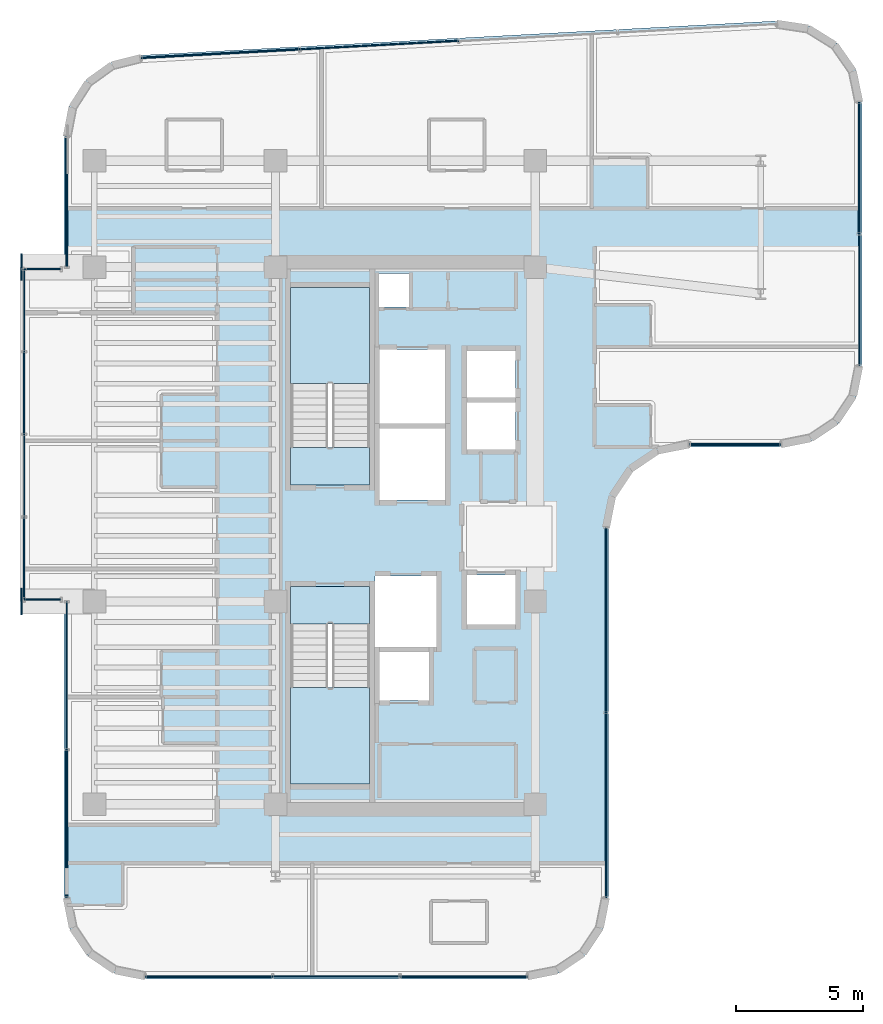
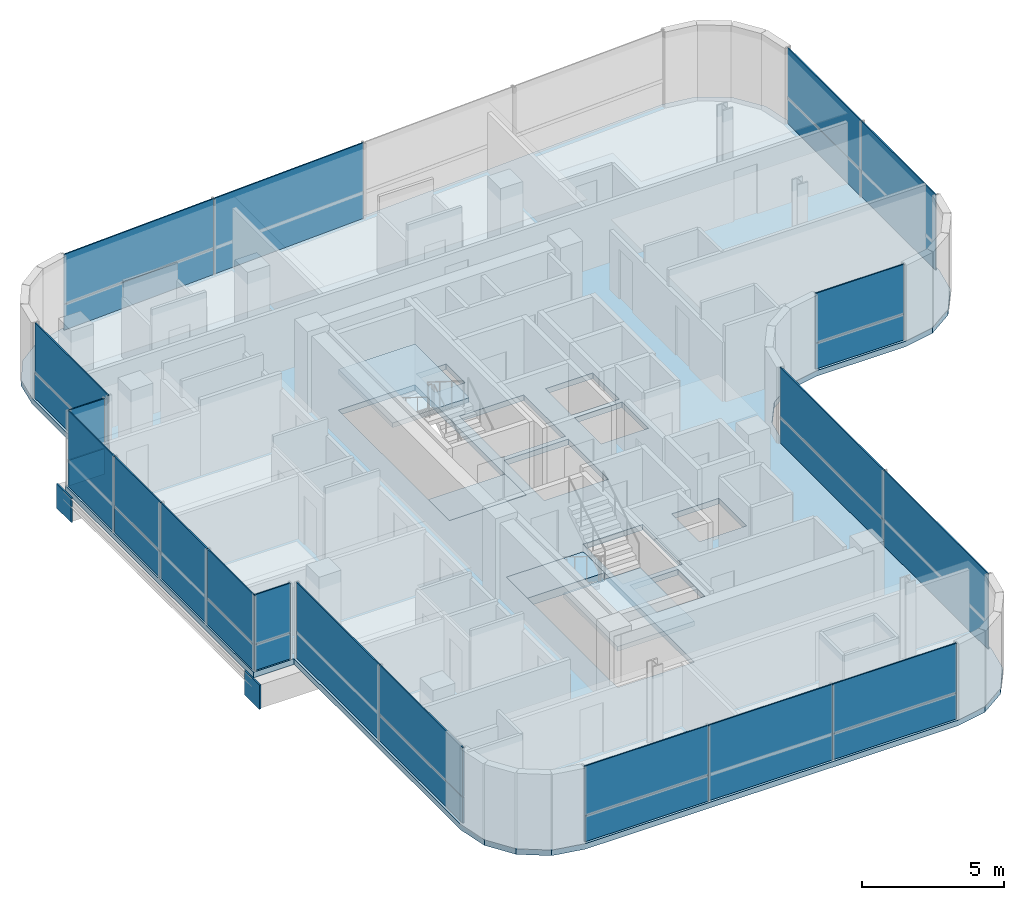
# One storey, part 15 of 22: 33 plates, 5 slabs, 12 elements without a shape of their own.
"""IFC4 building model written with IfcOpenShell, lengths in metres."""

from ifc_helpers import new_model, si_unit, direction, frame, origin, origin_2d, place, context, subcontext, project, spatial, polyline, rectangle, outline, extrude, source, transform, mapped, material, layer, layer_set, type_object, element, aggregate, save


model = new_model("IFC4")

# Units and contexts
model_context = context("Model", 3, precision=1e-05, world=origin(), true_north=direction((0.0, 1.0)))
body_context = subcontext(model_context, "Body", "Model", "MODEL_VIEW")
ifc_project = project(units=[si_unit("LENGTHUNIT", "METRE"), si_unit("AREAUNIT", "SQUARE_METRE"), si_unit("VOLUMEUNIT", "CUBIC_METRE"), si_unit("PLANEANGLEUNIT", "RADIAN"), si_unit("MASSUNIT", "GRAM", prefix="KILO")], contexts=[model_context])

# Site, building, storey
site_placement = place(None, origin())
site = spatial("IfcSite", under=ifc_project, at=site_placement, CompositionType="ELEMENT")
building_placement = place(site_placement, origin())
building = spatial("IfcBuilding", under=site, at=building_placement, Name="Valdorenza Pilgrim Sanctuary Tower", CompositionType="ELEMENT")
storey_placement = place(building_placement, frame((0.0, 0.0, 212.5)))
storey = spatial("IfcBuildingStorey", under=building, at=storey_placement, Name="L54", CompositionType="ELEMENT", Elevation=212.5)

# Slab
ifc_material_1 = material(Name="Concrete C40/50", Category="concrete")
ifc_layer_1 = layer(ifc_material_1, 0.239990234375, Name="Concrete C40/50")
ifc_layer_set_1 = layer_set([ifc_layer_1], Name="Concrete C40/50")
slab_type_1 = type_object("IfcSlabType", Name="SLAB-FLR-220", PredefinedType="FLOOR", material=ifc_layer_set_1)
slab_1_placement = place(storey_placement, frame((0.0, 0.0, -0.239990234375)))
element("IfcSlab", 1, at=slab_1_placement, inside=storey, type_object=slab_type_1, Name="L54 Structural Floor Slab 1", PredefinedType="FLOOR", context=body_context, shape_type="SweptSolid", body=[
    extrude(outline(polyline([(-30.772705078125, 16.95263671875), (-30.122802734375, 17.968994140625), (-29.14306640625, 18.672607421875), (-27.972412109375, 18.96337890625), (-2.872314453125, 20.318115234375), (-1.595947265625, 20.126220703125), (-0.4990234375, 19.445556640625), (0.239501953125, 18.386962890625), (0.5, 17.12255859375), (0.5, 6.699951171875), (0.25634765625, 5.475341796875), (-0.437255859375, 4.437255859375), (-1.475341796875, 3.74365234375), (-2.699951171875, 3.5), (-6.300048828125, 3.5), (-7.524658203125, 3.25634765625), (-8.562744140625, 2.562744140625), (-9.25634765625, 1.524658203125), (-9.5, 0.300048828125), (-9.5, -14.300048828125), (-9.74365234375, -15.524658203125), (-10.437255859375, -16.562744140625), (-11.475341796875, -17.25634765625), (-12.699951171875, -17.5), (-27.800048828125, -17.5), (-29.024658203125, -17.25634765625), (-30.062744140625, -16.562744140625), (-30.75634765625, -15.524658203125), (-31.0, -14.300048828125), (-31.0, -2.60009765625), (-32.64990234375, -2.60009765625), (-32.64990234375, 10.60009765625), (-31.0, 10.60009765625), (-31.0, 15.76806640625), (-30.772705078125, 16.95263671875)]), holes=[polyline([(-22.050048828125, -9.800048828125), (-18.93994140625, -9.800048828125), (-18.93994140625, -3.485107421875), (-18.93994140625, -2.0), (-22.050048828125, -2.0), (-22.050048828125, -3.485107421875), (-22.050048828125, -9.800048828125)]), polyline([(-16.60009765625, -6.5), (-16.60009765625, -4.60009765625), (-18.550048828125, -4.60009765625), (-18.550048828125, -6.5), (-16.60009765625, -6.5)]), polyline([(-22.050048828125, 2.0), (-18.93994140625, 2.0), (-18.93994140625, 3.485107421875), (-18.93994140625, 9.800048828125), (-22.050048828125, 9.800048828125), (-22.050048828125, 3.485107421875), (-22.050048828125, 2.0)]), polyline([(-17.360107421875, 9.030029296875), (-17.360107421875, 10.35009765625), (-18.570068359375, 10.35009765625), (-18.570068359375, 9.030029296875), (-17.360107421875, 9.030029296875)]), polyline([(-16.300048828125, -1.60009765625), (-18.719970703125, -1.60009765625), (-18.719970703125, -4.39990234375), (-16.300048828125, -4.39990234375), (-16.300048828125, -1.60009765625)]), polyline([(-13.179931640625, -3.5), (-13.179931640625, -1.550048828125), (-15.10009765625, -1.550048828125), (-15.10009765625, -3.5), (-13.179931640625, -3.5)]), polyline([(-15.949951171875, 1.39990234375), (-15.949951171875, 4.22509765625), (-18.550048828125, 4.22509765625), (-18.550048828125, 1.39990234375), (-15.949951171875, 1.39990234375)]), polyline([(-13.179931640625, 5.25), (-15.10009765625, 5.25), (-15.10009765625, 3.39990234375), (-13.179931640625, 3.39990234375), (-13.179931640625, 5.25)]), polyline([(-15.949951171875, 4.425048828125), (-15.949951171875, 7.35009765625), (-18.550048828125, 7.35009765625), (-18.550048828125, 4.425048828125), (-15.949951171875, 4.425048828125)]), polyline([(-13.179931640625, 5.449951171875), (-13.179931640625, 7.300048828125), (-15.10009765625, 7.300048828125), (-15.10009765625, 5.449951171875), (-13.179931640625, 5.449951171875)])]), origin(), (0.0, 0.0, 1.0), 0.239990234375),
])

# Stair, slab
stair_type = type_object("IfcStairType", Name="STR-DOG-CORE", PredefinedType="HALF_TURN_STAIR", material=ifc_material_1)
stair_1_placement = place(storey_placement, origin())
stair_1 = element("IfcStair", 2, at=stair_1_placement, inside=storey, type_object=stair_type, Name="L54 ST-A1", PredefinedType="HALF_TURN_STAIR")
ifc_layer_2 = layer(ifc_material_1, 0.199951171875, Name="Concrete C40/50")
ifc_layer_set_2 = layer_set([ifc_layer_2], Name="Concrete C40/50")
slab_type_2 = type_object("IfcSlabType", Name="SLAB-STL-200", PredefinedType="LANDING", material=ifc_layer_set_2)
slab_2_placement = place(storey_placement, frame((0.0, 0.0, 1.550048828125)))
slab_2 = element("IfcSlab", 3, at=slab_2_placement, type_object=slab_type_2, Name="ST-A1 landing 1", PredefinedType="LANDING", context=body_context, shape_type="SweptSolid", body=[
    extrude(outline(polyline([(-18.93994140625, 6.0), (-18.93994140625, 9.800048828125), (-22.050048828125, 9.800048828125), (-22.050048828125, 6.0), (-18.93994140625, 6.0)])), origin(), (0.0, 0.0, 1.0), 0.199951171875),
])
aggregate(stair_1, [slab_2])

stair_2_placement = place(storey_placement, origin())
stair_2 = element("IfcStair", 4, at=stair_2_placement, inside=storey, type_object=stair_type, Name="L54 ST-A2", PredefinedType="HALF_TURN_STAIR")
slab_3_placement = place(storey_placement, frame((0.0, 0.0, 1.550048828125)))
slab_3 = element("IfcSlab", 5, at=slab_3_placement, type_object=slab_type_2, Name="ST-A2 landing 1", PredefinedType="LANDING", context=body_context, shape_type="SweptSolid", body=[
    extrude(outline(polyline([(-22.050048828125, -6.0), (-22.050048828125, -9.800048828125), (-18.93994140625, -9.800048828125), (-18.93994140625, -6.0), (-22.050048828125, -6.0)])), origin(), (0.0, 0.0, 1.0), 0.199951171875),
])
aggregate(stair_2, [slab_3])

# Slabs
ifc_material_2 = material(Name="Concrete C50/60", Category="concrete")
ifc_layer_3 = layer(ifc_material_2, 0.39990234375, Name="Concrete C50/60")
ifc_layer_set_3 = layer_set([ifc_layer_3], Name="Concrete C50/60")
slab_type_3 = type_object("IfcSlabType", Name="SLAB-TRF-400", PredefinedType="FLOOR", material=ifc_layer_set_3)
slab_4_placement = place(storey_placement, frame((0.0, 0.0, -0.360107421875)))
element("IfcSlab", 6, at=slab_4_placement, inside=storey, type_object=slab_type_3, Name="L54 ST-A1 Structural Stair Landing Bearing Slab", PredefinedType="FLOOR", context=body_context, shape_type="SweptSolid", body=[
    extrude(outline(polyline([(-22.050048828125, 2.0), (-18.93994140625, 2.0), (-18.93994140625, 3.485107421875), (-22.050048828125, 3.485107421875), (-22.050048828125, 2.0)])), origin(), (0.0, 0.0, 1.0), 0.360107421875),
])
slab_5_placement = place(storey_placement, frame((0.0, 0.0, -0.360107421875)))
element("IfcSlab", 7, at=slab_5_placement, inside=storey, type_object=slab_type_3, Name="L54 ST-A2 Structural Stair Landing Bearing Slab", PredefinedType="FLOOR", context=body_context, shape_type="SweptSolid", body=[
    extrude(outline(polyline([(-22.050048828125, -3.485107421875), (-18.93994140625, -3.485107421875), (-18.93994140625, -2.0), (-22.050048828125, -2.0), (-22.050048828125, -3.485107421875)])), origin(), (0.0, 0.0, 1.0), 0.360107421875),
])

# Plates
ifc_material_3 = material(Name="Steel ASTM A572 Grade 42", Category="steel")
ifc_layer_4 = layer(ifc_material_3, 0.06005859375, Name="Steel ASTM A572 Grade 42")
ifc_layer_set_4 = layer_set([ifc_layer_4], Name="Steel ASTM A572 Grade 42")
plate_type_1 = type_object("IfcPlateType", Name="PLT-CAP-60", PredefinedType="SHEET", material=ifc_layer_set_4)
shared_shape_1 = source(origin(), body_context, "Body", "SweptSolid", [
    extrude(rectangle(XDim=0.06005859375, YDim=1.0400390625, at=origin_2d()), origin(), (0.0, 0.0, 1.0), 1.0400390625),
])
for number, where, z_axis, x_axis, name in (
    (8, (-32.679931640625, 10.60009765625, -1.260009765625), (0.0, 0.0, 1.0), (1.0, 0.0, 0.0), "L54 BOX-WA-L54 Cantilever Tip End Cap N"),
    (9, (-32.679931640625, -2.60009765625, -1.260009765625), (0.0, 0.0, 1.0), (1.0, 0.0, 0.0), "L54 BOX-WA-L54 Cantilever Tip End Cap S"),
):
    element("IfcPlate", number, at=place(storey_placement, frame(where, z_axis=z_axis, x_axis=x_axis)), inside=storey, type_object=plate_type_1, Name=name, PredefinedType="SHEET", context=body_context, shape_type="MappedRepresentation", body=[
        mapped(shared_shape_1, transform((0.0, 0.0, 0.0), x_axis=(1.0, 0.0, 0.0), y_axis=(0.0, 1.0, 0.0), z_axis=(0.0, 0.0, 1.0), scale=1.0)),
    ])

# Curtain wall, plate
ifc_material_4 = material(Name="Curtain-wall IGU glazing", Category="glass")
curtain_wall_type = type_object("IfcCurtainWallType", Name="CW-SYS-02", PredefinedType="NOTDEFINED", material=ifc_material_4)
curtain_wall_1_placement = place(storey_placement, origin())
curtain_wall_1 = element("IfcCurtainWall", 10, at=curtain_wall_1_placement, inside=storey, type_object=curtain_wall_type, Name="L54 Curtain Wall CW-L54-BOX-WA-L54-S", PredefinedType="NOTDEFINED")
ifc_material_5 = material(Name="Honed travertine limestone", Category="masonry")
ifc_layer_5 = layer(ifc_material_5, 0.050048828125, Name="Honed travertine limestone")
ifc_layer_set_5 = layer_set([ifc_layer_5], Name="Honed travertine limestone")
plate_type_2 = type_object("IfcPlateType", Name="CW-SPN-TRV", PredefinedType="USERDEFINED", material=ifc_layer_set_5)
shared_shape_2 = source(origin(), body_context, "Body", "SweptSolid", [
    extrude(rectangle(XDim=1.43994140625, YDim=0.06005859375, at=origin_2d()), origin(), (0.0, 0.0, 1.0), 1.10009765625),
])
plate_1_placement = place(storey_placement, frame((-31.840087890625, -2.52001953125, 0.010009765625), z_axis=(0.0, 0.0, 1.0), x_axis=(-1.0, 0.0, 0.0)))
plate_1 = element("IfcPlate", 11, at=plate_1_placement, type_object=plate_type_2, Name="CW-L54-BOX-WA-L54-S Travertine Spandrel 1", ObjectType="SPANDREL", PredefinedType="USERDEFINED", context=body_context, shape_type="MappedRepresentation", body=[
    mapped(shared_shape_2, transform((0.0, 0.0, 0.0), x_axis=(1.0, 0.0, 0.0), y_axis=(0.0, 1.0, 0.0), z_axis=(0.0, 0.0, 1.0), scale=1.0)),
])

curtain_wall_2_placement = place(storey_placement, origin())
curtain_wall_2 = element("IfcCurtainWall", 12, at=curtain_wall_2_placement, inside=storey, type_object=curtain_wall_type, Name="L54 Curtain Wall CW-L54-BOX-WA-L54-N", PredefinedType="NOTDEFINED")
plate_2_placement = place(storey_placement, frame((-31.840087890625, 10.52001953125, 0.010009765625), z_axis=(0.0, 0.0, 1.0), x_axis=(1.0, 0.0, 0.0)))
plate_2 = element("IfcPlate", 13, at=plate_2_placement, type_object=plate_type_2, Name="CW-L54-BOX-WA-L54-N Travertine Spandrel 1", ObjectType="SPANDREL", PredefinedType="USERDEFINED", context=body_context, shape_type="MappedRepresentation", body=[
    mapped(shared_shape_2, transform((0.0, 0.0, 0.0), x_axis=(1.0, 0.0, 0.0), y_axis=(0.0, 1.0, 0.0), z_axis=(0.0, 0.0, 1.0), scale=1.0)),
])

# Curtain wall, plates
curtain_wall_3_placement = place(storey_placement, origin())
curtain_wall_3 = element("IfcCurtainWall", 14, at=curtain_wall_3_placement, inside=storey, type_object=curtain_wall_type, Name="L54 Curtain Wall CW-L54-BOX-WA-L54-F", PredefinedType="NOTDEFINED")
shared_shape_3 = source(origin(), body_context, "Body", "SweptSolid", [
    extrude(rectangle(XDim=3.239990234375, YDim=0.06005859375, at=origin_2d()), origin(), (0.0, 0.0, 1.0), 1.10009765625),
])
plate_3_placement = place(storey_placement, frame((-32.570068359375, -0.889892578125, 0.010009765625), z_axis=(0.0, 0.0, 1.0), x_axis=(0.0, 1.0, 0.0)))
plate_3 = element("IfcPlate", 15, at=plate_3_placement, type_object=plate_type_2, Name="CW-L54-BOX-WA-L54-F Travertine Spandrel 1", ObjectType="SPANDREL", PredefinedType="USERDEFINED", context=body_context, shape_type="MappedRepresentation", body=[
    mapped(shared_shape_3, transform((0.0, 0.0, 0.0), x_axis=(1.0, 0.0, 0.0), y_axis=(0.0, 1.0, 0.0), z_axis=(0.0, 0.0, 1.0), scale=1.0)),
])
plate_4_placement = place(storey_placement, frame((-32.570068359375, 5.6298828125, 0.010009765625), z_axis=(0.0, 0.0, 1.0), x_axis=(0.0, 1.0, 0.0)))
plate_4 = element("IfcPlate", 16, at=plate_4_placement, type_object=plate_type_2, Name="CW-L54-BOX-WA-L54-F Travertine Spandrel 3", ObjectType="SPANDREL", PredefinedType="USERDEFINED", context=body_context, shape_type="MappedRepresentation", body=[
    mapped(shared_shape_3, transform((0.0, 0.0, 0.0), x_axis=(1.0, 0.0, 0.0), y_axis=(0.0, 1.0, 0.0), z_axis=(0.0, 0.0, 1.0), scale=1.0)),
])

# Curtain wall, plate
curtain_wall_4_placement = place(storey_placement, origin())
curtain_wall_4 = element("IfcCurtainWall", 17, at=curtain_wall_4_placement, inside=storey, type_object=curtain_wall_type, Name="L54 Curtain Wall CW-L54-1-1S1", PredefinedType="NOTDEFINED")
shared_shape_4 = source(origin(), body_context, "Body", "SweptSolid", [
    extrude(rectangle(XDim=5.82470703125, YDim=0.06005859375, at=origin_2d()), origin(), (0.0, 0.0, 1.0), 1.10009765625),
])
plate_5_placement = place(storey_placement, frame((-30.889892578125, -11.366943359375, 0.010009765625), z_axis=(0.0, 0.0, 1.0), x_axis=(0.0, 1.0, 0.0)))
plate_5 = element("IfcPlate", 18, at=plate_5_placement, type_object=plate_type_2, Name="CW-L54-1-1S1 Travertine Spandrel 1", ObjectType="SPANDREL", PredefinedType="USERDEFINED", context=body_context, shape_type="MappedRepresentation", body=[
    mapped(shared_shape_4, transform((0.0, 0.0, 0.0), x_axis=(1.0, 0.0, 0.0), y_axis=(0.0, 1.0, 0.0), z_axis=(0.0, 0.0, 1.0), scale=1.0)),
])

# Curtain wall, plates
curtain_wall_5_placement = place(storey_placement, origin())
curtain_wall_5 = element("IfcCurtainWall", 19, at=curtain_wall_5_placement, inside=storey, type_object=curtain_wall_type, Name="L54 Curtain Wall CW-L54-1-26", PredefinedType="NOTDEFINED")
shared_shape_5 = source(origin(), body_context, "Body", "SweptSolid", [
    extrude(rectangle(XDim=5.006103515625, YDim=0.06005859375, at=origin_2d()), origin(), (0.0, 0.0, 1.0), 1.10009765625),
])
plate_6_placement = place(storey_placement, frame((-15.223876953125, -17.389892578125, 0.010009765625), z_axis=(0.0, 0.0, 1.0), x_axis=(-1.0, 0.0, 0.0)))
plate_6 = element("IfcPlate", 20, at=plate_6_placement, type_object=plate_type_2, Name="CW-L54-1-26 Travertine Spandrel 1", ObjectType="SPANDREL", PredefinedType="USERDEFINED", context=body_context, shape_type="MappedRepresentation", body=[
    mapped(shared_shape_5, transform((0.0, 0.0, 0.0), x_axis=(1.0, 0.0, 0.0), y_axis=(0.0, 1.0, 0.0), z_axis=(0.0, 0.0, 1.0), scale=1.0)),
])
plate_7_placement = place(storey_placement, frame((-25.276123046875, -17.389892578125, 0.010009765625), z_axis=(0.0, 0.0, 1.0), x_axis=(-1.0, 0.0, 0.0)))
plate_7 = element("IfcPlate", 21, at=plate_7_placement, type_object=plate_type_2, Name="CW-L54-1-26 Travertine Spandrel 3", ObjectType="SPANDREL", PredefinedType="USERDEFINED", context=body_context, shape_type="MappedRepresentation", body=[
    mapped(shared_shape_5, transform((0.0, 0.0, 0.0), x_axis=(1.0, 0.0, 0.0), y_axis=(0.0, 1.0, 0.0), z_axis=(0.0, 0.0, 1.0), scale=1.0)),
])

# Curtain wall, plate
curtain_wall_6_placement = place(storey_placement, origin())
curtain_wall_6 = element("IfcCurtainWall", 22, at=curtain_wall_6_placement, inside=storey, type_object=curtain_wall_type, Name="L54 Curtain Wall CW-L54-1-6", PredefinedType="NOTDEFINED")
shared_shape_6 = source(origin(), body_context, "Body", "SweptSolid", [
    extrude(rectangle(XDim=6.2587890625, YDim=0.06005859375, at=origin_2d()), origin(), (0.0, 0.0, 1.0), 1.10009765625),
])
plate_8_placement = place(storey_placement, frame((-24.8212890625, 19.023193359375, 0.010009765625), z_axis=(0.0, 0.0, 1.0), x_axis=(0.998547034311, 0.053887106711, 0.0)))
plate_8 = element("IfcPlate", 23, at=plate_8_placement, type_object=plate_type_2, Name="CW-L54-1-6 Travertine Spandrel 1", ObjectType="SPANDREL", PredefinedType="USERDEFINED", context=body_context, shape_type="MappedRepresentation", body=[
    mapped(shared_shape_6, transform((0.0, 0.0, 0.0), x_axis=(1.0, 0.0, 0.0), y_axis=(0.0, 1.0, 0.0), z_axis=(0.0, 0.0, 1.0), scale=1.0)),
])

curtain_wall_7_placement = place(storey_placement, origin())
curtain_wall_7 = element("IfcCurtainWall", 24, at=curtain_wall_7_placement, inside=storey, type_object=curtain_wall_type, Name="L54 Curtain Wall CW-L54-1-16", PredefinedType="NOTDEFINED")
shared_shape_7 = source(origin(), body_context, "Body", "SweptSolid", [
    extrude(rectangle(XDim=3.580078125, YDim=0.06005859375, at=origin_2d()), origin(), (0.0, 0.0, 1.0), 1.10009765625),
])
plate_9_placement = place(storey_placement, frame((-4.5107421875, 3.610107421875, 0.010009765625), z_axis=(0.0, 0.0, 1.0), x_axis=(-1.0, 0.0, 0.0)))
plate_9 = element("IfcPlate", 25, at=plate_9_placement, type_object=plate_type_2, Name="CW-L54-1-16 Travertine Spandrel 1", ObjectType="SPANDREL", PredefinedType="USERDEFINED", context=body_context, shape_type="MappedRepresentation", body=[
    mapped(shared_shape_7, transform((0.0, 0.0, 0.0), x_axis=(1.0, 0.0, 0.0), y_axis=(0.0, 1.0, 0.0), z_axis=(0.0, 0.0, 1.0), scale=1.0)),
])

curtain_wall_8_placement = place(storey_placement, origin())
curtain_wall_8 = element("IfcCurtainWall", 26, at=curtain_wall_8_placement, inside=storey, type_object=curtain_wall_type, Name="L54 Curtain Wall CW-L54-1-21", PredefinedType="NOTDEFINED")
shared_shape_8 = source(origin(), body_context, "Body", "SweptSolid", [
    extrude(rectangle(XDim=7.280029296875, YDim=0.06005859375, at=origin_2d()), origin(), (0.0, 0.0, 1.0), 1.10009765625),
])
plate_10_placement = place(storey_placement, frame((-9.610107421875, -3.339111328125, 0.010009765625), z_axis=(0.0, 0.0, 1.0), x_axis=(0.0, -1.0, 0.0)))
plate_10 = element("IfcPlate", 27, at=plate_10_placement, type_object=plate_type_2, Name="CW-L54-1-21 Travertine Spandrel 1", ObjectType="SPANDREL", PredefinedType="USERDEFINED", context=body_context, shape_type="MappedRepresentation", body=[
    mapped(shared_shape_8, transform((0.0, 0.0, 0.0), x_axis=(1.0, 0.0, 0.0), y_axis=(0.0, 1.0, 0.0), z_axis=(0.0, 0.0, 1.0), scale=1.0)),
])

curtain_wall_9_placement = place(storey_placement, origin())
curtain_wall_9 = element("IfcCurtainWall", 28, at=curtain_wall_9_placement, inside=storey, type_object=curtain_wall_type, Name="L54 Curtain Wall CW-L54-1-11", PredefinedType="NOTDEFINED")
shared_shape_9 = source(origin(), body_context, "Body", "SweptSolid", [
    extrude(rectangle(XDim=5.180419921875, YDim=0.06005859375, at=origin_2d()), origin(), (0.0, 0.0, 1.0), 1.10009765625),
])
plate_11_placement = place(storey_placement, frame((0.389892578125, 14.51123046875, 0.010009765625), z_axis=(0.0, 0.0, 1.0), x_axis=(0.0, -1.0, 0.0)))
plate_11 = element("IfcPlate", 29, at=plate_11_placement, type_object=plate_type_2, Name="CW-L54-1-11 Travertine Spandrel 1", ObjectType="SPANDREL", PredefinedType="USERDEFINED", context=body_context, shape_type="MappedRepresentation", body=[
    mapped(shared_shape_9, transform((0.0, 0.0, 0.0), x_axis=(1.0, 0.0, 0.0), y_axis=(0.0, 1.0, 0.0), z_axis=(0.0, 0.0, 1.0), scale=1.0)),
])

# Plate
ifc_material_6 = material(Name="Ceramic-fritted low-E IGU glazing", Category="glass")
ifc_layer_6 = layer(ifc_material_6, 0.035888671875, Name="Ceramic-fritted low-E IGU glazing")
ifc_layer_set_6 = layer_set([ifc_layer_6], Name="Ceramic-fritted low-E IGU glazing")
plate_type_3 = type_object("IfcPlateType", Name="CW-GLZ-IGU", PredefinedType="USERDEFINED", material=ifc_layer_set_6)
shared_shape_10 = source(origin(), body_context, "Body", "SweptSolid", [
    extrude(rectangle(XDim=6.2587890625, YDim=0.050048828125, at=origin_2d()), origin(), (0.0, 0.0, 1.0), 2.1201171875),
])
plate_12_placement = place(storey_placement, frame((-24.8212890625, 19.023193359375, 1.1298828125), z_axis=(0.0, 0.0, 1.0), x_axis=(0.998547034311, 0.053887106711, 0.0)))
plate_12 = element("IfcPlate", 30, at=plate_12_placement, type_object=plate_type_3, Name="CW-L54-1-6 Facade Panel 1", ObjectType="GLAZING", PredefinedType="USERDEFINED", context=body_context, shape_type="MappedRepresentation", body=[
    mapped(shared_shape_10, transform((0.0, 0.0, 0.0), x_axis=(1.0, 0.0, 0.0), y_axis=(0.0, 1.0, 0.0), z_axis=(0.0, 0.0, 1.0), scale=1.0)),
])

shared_shape_11 = source(origin(), body_context, "Body", "SweptSolid", [
    extrude(rectangle(XDim=6.2587890625, YDim=0.050048828125, at=origin_2d()), origin(), (0.0, 0.0, 1.0), 3.239990234375),
])
plate_13_placement = place(storey_placement, frame((-18.551513671875, 19.36181640625, 0.009765625), z_axis=(0.0, 0.0, 1.0), x_axis=(0.998547034311, 0.053887106711, 0.0)))
plate_13 = element("IfcPlate", 31, at=plate_13_placement, type_object=plate_type_3, Name="CW-L54-1-6 Full-Height Facade Panel 2", ObjectType="GLAZING", PredefinedType="USERDEFINED", context=body_context, shape_type="MappedRepresentation", body=[
    mapped(shared_shape_11, transform((0.0, 0.0, 0.0), x_axis=(1.0, 0.0, 0.0), y_axis=(0.0, 1.0, 0.0), z_axis=(0.0, 0.0, 1.0), scale=1.0)),
])

aggregate(curtain_wall_6, [plate_8, plate_12, plate_13])

shared_shape_12 = source(origin(), body_context, "Body", "SweptSolid", [
    extrude(rectangle(XDim=5.180419921875, YDim=0.050048828125, at=origin_2d()), origin(), (0.0, 0.0, 1.0), 2.1201171875),
])
plate_14_placement = place(storey_placement, frame((0.389892578125, 14.51123046875, 1.1298828125), z_axis=(0.0, 0.0, 1.0), x_axis=(0.0, -1.0, 0.0)))
plate_14 = element("IfcPlate", 32, at=plate_14_placement, type_object=plate_type_3, Name="CW-L54-1-11 Facade Panel 1", ObjectType="GLAZING", PredefinedType="USERDEFINED", context=body_context, shape_type="MappedRepresentation", body=[
    mapped(shared_shape_12, transform((0.0, 0.0, 0.0), x_axis=(1.0, 0.0, 0.0), y_axis=(0.0, 1.0, 0.0), z_axis=(0.0, 0.0, 1.0), scale=1.0)),
])

shared_shape_13 = source(origin(), body_context, "Body", "SweptSolid", [
    extrude(rectangle(XDim=5.180419921875, YDim=0.050048828125, at=origin_2d()), origin(), (0.0, 0.0, 1.0), 3.239990234375),
])
plate_15_placement = place(storey_placement, frame((0.389892578125, 9.310791015625, 0.009765625), z_axis=(0.0, 0.0, 1.0), x_axis=(0.0, -1.0, 0.0)))
plate_15 = element("IfcPlate", 33, at=plate_15_placement, type_object=plate_type_3, Name="CW-L54-1-11 Full-Height Facade Panel 2", ObjectType="GLAZING", PredefinedType="USERDEFINED", context=body_context, shape_type="MappedRepresentation", body=[
    mapped(shared_shape_13, transform((0.0, 0.0, 0.0), x_axis=(1.0, 0.0, 0.0), y_axis=(0.0, 1.0, 0.0), z_axis=(0.0, 0.0, 1.0), scale=1.0)),
])

aggregate(curtain_wall_9, [plate_11, plate_14, plate_15])

shared_shape_14 = source(origin(), body_context, "Body", "SweptSolid", [
    extrude(rectangle(XDim=3.580078125, YDim=0.050048828125, at=origin_2d()), origin(), (0.0, 0.0, 1.0), 2.1201171875),
])
plate_16_placement = place(storey_placement, frame((-4.5107421875, 3.610107421875, 1.1298828125), z_axis=(0.0, 0.0, 1.0), x_axis=(-1.0, 0.0, 0.0)))
plate_16 = element("IfcPlate", 34, at=plate_16_placement, type_object=plate_type_3, Name="CW-L54-1-16 Facade Panel 1", ObjectType="GLAZING", PredefinedType="USERDEFINED", context=body_context, shape_type="MappedRepresentation", body=[
    mapped(shared_shape_14, transform((0.0, 0.0, 0.0), x_axis=(1.0, 0.0, 0.0), y_axis=(0.0, 1.0, 0.0), z_axis=(0.0, 0.0, 1.0), scale=1.0)),
])

aggregate(curtain_wall_7, [plate_9, plate_16])

shared_shape_15 = source(origin(), body_context, "Body", "SweptSolid", [
    extrude(rectangle(XDim=7.280029296875, YDim=0.050048828125, at=origin_2d()), origin(), (0.0, 0.0, 1.0), 2.1201171875),
])
plate_17_placement = place(storey_placement, frame((-9.610107421875, -3.339111328125, 1.1298828125), z_axis=(0.0, 0.0, 1.0), x_axis=(0.0, -1.0, 0.0)))
plate_17 = element("IfcPlate", 35, at=plate_17_placement, type_object=plate_type_3, Name="CW-L54-1-21 Facade Panel 1", ObjectType="GLAZING", PredefinedType="USERDEFINED", context=body_context, shape_type="MappedRepresentation", body=[
    mapped(shared_shape_15, transform((0.0, 0.0, 0.0), x_axis=(1.0, 0.0, 0.0), y_axis=(0.0, 1.0, 0.0), z_axis=(0.0, 0.0, 1.0), scale=1.0)),
])

shared_shape_16 = source(origin(), body_context, "Body", "SweptSolid", [
    extrude(rectangle(XDim=7.280029296875, YDim=0.050048828125, at=origin_2d()), origin(), (0.0, 0.0, 1.0), 3.239990234375),
])
plate_18_placement = place(storey_placement, frame((-9.610107421875, -10.63916015625, 0.009765625), z_axis=(0.0, 0.0, 1.0), x_axis=(0.0, -1.0, 0.0)))
plate_18 = element("IfcPlate", 36, at=plate_18_placement, type_object=plate_type_3, Name="CW-L54-1-21 Full-Height Facade Panel 2", ObjectType="GLAZING", PredefinedType="USERDEFINED", context=body_context, shape_type="MappedRepresentation", body=[
    mapped(shared_shape_16, transform((0.0, 0.0, 0.0), x_axis=(1.0, 0.0, 0.0), y_axis=(0.0, 1.0, 0.0), z_axis=(0.0, 0.0, 1.0), scale=1.0)),
])

aggregate(curtain_wall_8, [plate_10, plate_17, plate_18])

shared_shape_17 = source(origin(), body_context, "Body", "SweptSolid", [
    extrude(rectangle(XDim=5.006103515625, YDim=0.050048828125, at=origin_2d()), origin(), (0.0, 0.0, 1.0), 2.1201171875),
])
plate_19_placement = place(storey_placement, frame((-15.223876953125, -17.389892578125, 1.1298828125), z_axis=(0.0, 0.0, 1.0), x_axis=(-1.0, 0.0, 0.0)))
plate_19 = element("IfcPlate", 37, at=plate_19_placement, type_object=plate_type_3, Name="CW-L54-1-26 Facade Panel 1", ObjectType="GLAZING", PredefinedType="USERDEFINED", context=body_context, shape_type="MappedRepresentation", body=[
    mapped(shared_shape_17, transform((0.0, 0.0, 0.0), x_axis=(1.0, 0.0, 0.0), y_axis=(0.0, 1.0, 0.0), z_axis=(0.0, 0.0, 1.0), scale=1.0)),
])

plate_20_placement = place(storey_placement, frame((-25.276123046875, -17.389892578125, 1.1298828125), z_axis=(0.0, 0.0, 1.0), x_axis=(-1.0, 0.0, 0.0)))
plate_20 = element("IfcPlate", 38, at=plate_20_placement, type_object=plate_type_3, Name="CW-L54-1-26 Facade Panel 3", ObjectType="GLAZING", PredefinedType="USERDEFINED", context=body_context, shape_type="MappedRepresentation", body=[
    mapped(shared_shape_17, transform((0.0, 0.0, 0.0), x_axis=(1.0, 0.0, 0.0), y_axis=(0.0, 1.0, 0.0), z_axis=(0.0, 0.0, 1.0), scale=1.0)),
])

shared_shape_18 = source(origin(), body_context, "Body", "SweptSolid", [
    extrude(rectangle(XDim=5.006103515625, YDim=0.050048828125, at=origin_2d()), origin(), (0.0, 0.0, 1.0), 3.239990234375),
])
plate_21_placement = place(storey_placement, frame((-20.25, -17.389892578125, 0.009765625), z_axis=(0.0, 0.0, 1.0), x_axis=(-1.0, 0.0, 0.0)))
plate_21 = element("IfcPlate", 39, at=plate_21_placement, type_object=plate_type_3, Name="CW-L54-1-26 Full-Height Facade Panel 2", ObjectType="GLAZING", PredefinedType="USERDEFINED", context=body_context, shape_type="MappedRepresentation", body=[
    mapped(shared_shape_18, transform((0.0, 0.0, 0.0), x_axis=(1.0, 0.0, 0.0), y_axis=(0.0, 1.0, 0.0), z_axis=(0.0, 0.0, 1.0), scale=1.0)),
])

aggregate(curtain_wall_5, [plate_6, plate_19, plate_21, plate_7, plate_20])

shared_shape_19 = source(origin(), body_context, "Body", "SweptSolid", [
    extrude(rectangle(XDim=1.43994140625, YDim=0.050048828125, at=origin_2d()), origin(), (0.0, 0.0, 1.0), 2.1201171875),
])
plate_22_placement = place(storey_placement, frame((-31.840087890625, -2.52001953125, 1.1298828125), z_axis=(0.0, 0.0, 1.0), x_axis=(-1.0, 0.0, 0.0)))
plate_22 = element("IfcPlate", 40, at=plate_22_placement, type_object=plate_type_3, Name="CW-L54-BOX-WA-L54-S Facade Panel 1", ObjectType="GLAZING", PredefinedType="USERDEFINED", context=body_context, shape_type="MappedRepresentation", body=[
    mapped(shared_shape_19, transform((0.0, 0.0, 0.0), x_axis=(1.0, 0.0, 0.0), y_axis=(0.0, 1.0, 0.0), z_axis=(0.0, 0.0, 1.0), scale=1.0)),
])

aggregate(curtain_wall_1, [plate_1, plate_22])

plate_23_placement = place(storey_placement, frame((-31.840087890625, 10.52001953125, 1.1298828125), z_axis=(0.0, 0.0, 1.0), x_axis=(1.0, 0.0, 0.0)))
plate_23 = element("IfcPlate", 41, at=plate_23_placement, type_object=plate_type_3, Name="CW-L54-BOX-WA-L54-N Facade Panel 1", ObjectType="GLAZING", PredefinedType="USERDEFINED", context=body_context, shape_type="MappedRepresentation", body=[
    mapped(shared_shape_19, transform((0.0, 0.0, 0.0), x_axis=(1.0, 0.0, 0.0), y_axis=(0.0, 1.0, 0.0), z_axis=(0.0, 0.0, 1.0), scale=1.0)),
])

aggregate(curtain_wall_2, [plate_2, plate_23])

shared_shape_20 = source(origin(), body_context, "Body", "SweptSolid", [
    extrude(rectangle(XDim=5.82470703125, YDim=0.050048828125, at=origin_2d()), origin(), (0.0, 0.0, 1.0), 2.1201171875),
])
plate_24_placement = place(storey_placement, frame((-30.889892578125, -11.366943359375, 1.1298828125), z_axis=(0.0, 0.0, 1.0), x_axis=(0.0, 1.0, 0.0)))
plate_24 = element("IfcPlate", 42, at=plate_24_placement, type_object=plate_type_3, Name="CW-L54-1-1S1 Facade Panel 1", ObjectType="GLAZING", PredefinedType="USERDEFINED", context=body_context, shape_type="MappedRepresentation", body=[
    mapped(shared_shape_20, transform((0.0, 0.0, 0.0), x_axis=(1.0, 0.0, 0.0), y_axis=(0.0, 1.0, 0.0), z_axis=(0.0, 0.0, 1.0), scale=1.0)),
])

shared_shape_21 = source(origin(), body_context, "Body", "SweptSolid", [
    extrude(rectangle(XDim=5.82470703125, YDim=0.050048828125, at=origin_2d()), origin(), (0.0, 0.0, 1.0), 3.239990234375),
])
plate_25_placement = place(storey_placement, frame((-30.889892578125, -5.522216796875, 0.009765625), z_axis=(0.0, 0.0, 1.0), x_axis=(0.0, 1.0, 0.0)))
plate_25 = element("IfcPlate", 43, at=plate_25_placement, type_object=plate_type_3, Name="CW-L54-1-1S1 Full-Height Facade Panel 2", ObjectType="GLAZING", PredefinedType="USERDEFINED", context=body_context, shape_type="MappedRepresentation", body=[
    mapped(shared_shape_21, transform((0.0, 0.0, 0.0), x_axis=(1.0, 0.0, 0.0), y_axis=(0.0, 1.0, 0.0), z_axis=(0.0, 0.0, 1.0), scale=1.0)),
])

aggregate(curtain_wall_4, [plate_5, plate_24, plate_25])

# Curtain wall, plates
curtain_wall_10_placement = place(storey_placement, origin())
curtain_wall_10 = element("IfcCurtainWall", 44, at=curtain_wall_10_placement, inside=storey, type_object=curtain_wall_type, Name="L54 Curtain Wall CW-L54-1-1S2", PredefinedType="NOTDEFINED")
shared_shape_22 = source(origin(), body_context, "Body", "SweptSolid", [
    extrude(rectangle(XDim=5.137451171875, YDim=0.06005859375, at=origin_2d()), origin(), (0.0, 0.0, 1.0), 1.10009765625),
])
plate_26_placement = place(storey_placement, frame((-30.889892578125, 13.1787109375, 0.010009765625), z_axis=(0.0, 0.0, 1.0), x_axis=(0.0, 1.0, 0.0)))
plate_26 = element("IfcPlate", 45, at=plate_26_placement, type_object=plate_type_2, Name="CW-L54-1-1S2 Travertine Spandrel 1", ObjectType="SPANDREL", PredefinedType="USERDEFINED", context=body_context, shape_type="MappedRepresentation", body=[
    mapped(shared_shape_22, transform((0.0, 0.0, 0.0), x_axis=(1.0, 0.0, 0.0), y_axis=(0.0, 1.0, 0.0), z_axis=(0.0, 0.0, 1.0), scale=1.0)),
])
shared_shape_23 = source(origin(), body_context, "Body", "SweptSolid", [
    extrude(rectangle(XDim=5.137451171875, YDim=0.050048828125, at=origin_2d()), origin(), (0.0, 0.0, 1.0), 2.1201171875),
])
plate_27_placement = place(storey_placement, frame((-30.889892578125, 13.1787109375, 1.1298828125), z_axis=(0.0, 0.0, 1.0), x_axis=(0.0, 1.0, 0.0)))
plate_27 = element("IfcPlate", 46, at=plate_27_placement, type_object=plate_type_3, Name="CW-L54-1-1S2 Facade Panel 1", ObjectType="GLAZING", PredefinedType="USERDEFINED", context=body_context, shape_type="MappedRepresentation", body=[
    mapped(shared_shape_23, transform((0.0, 0.0, 0.0), x_axis=(1.0, 0.0, 0.0), y_axis=(0.0, 1.0, 0.0), z_axis=(0.0, 0.0, 1.0), scale=1.0)),
])
aggregate(curtain_wall_10, [plate_26, plate_27])

# Plate
shared_shape_24 = source(origin(), body_context, "Body", "SweptSolid", [
    extrude(rectangle(XDim=3.239990234375, YDim=0.050048828125, at=origin_2d()), origin(), (0.0, 0.0, 1.0), 2.1201171875),
])
plate_28_placement = place(storey_placement, frame((-32.570068359375, -0.889892578125, 1.1298828125), z_axis=(0.0, 0.0, 1.0), x_axis=(0.0, 1.0, 0.0)))
plate_28 = element("IfcPlate", 47, at=plate_28_placement, type_object=plate_type_3, Name="CW-L54-BOX-WA-L54-F Facade Panel 1", ObjectType="GLAZING", PredefinedType="USERDEFINED", context=body_context, shape_type="MappedRepresentation", body=[
    mapped(shared_shape_24, transform((0.0, 0.0, 0.0), x_axis=(1.0, 0.0, 0.0), y_axis=(0.0, 1.0, 0.0), z_axis=(0.0, 0.0, 1.0), scale=1.0)),
])

plate_29_placement = place(storey_placement, frame((-32.570068359375, 5.6298828125, 1.1298828125), z_axis=(0.0, 0.0, 1.0), x_axis=(0.0, 1.0, 0.0)))
plate_29 = element("IfcPlate", 48, at=plate_29_placement, type_object=plate_type_3, Name="CW-L54-BOX-WA-L54-F Facade Panel 3", ObjectType="GLAZING", PredefinedType="USERDEFINED", context=body_context, shape_type="MappedRepresentation", body=[
    mapped(shared_shape_24, transform((0.0, 0.0, 0.0), x_axis=(1.0, 0.0, 0.0), y_axis=(0.0, 1.0, 0.0), z_axis=(0.0, 0.0, 1.0), scale=1.0)),
])

shared_shape_25 = source(origin(), body_context, "Body", "SweptSolid", [
    extrude(rectangle(XDim=3.239990234375, YDim=0.050048828125, at=origin_2d()), origin(), (0.0, 0.0, 1.0), 3.239990234375),
])
plate_30_placement = place(storey_placement, frame((-32.570068359375, 2.3701171875, 0.009765625), z_axis=(0.0, 0.0, 1.0), x_axis=(0.0, 1.0, 0.0)))
plate_30 = element("IfcPlate", 49, at=plate_30_placement, type_object=plate_type_3, Name="CW-L54-BOX-WA-L54-F Full-Height Facade Panel 2", ObjectType="GLAZING", PredefinedType="USERDEFINED", context=body_context, shape_type="MappedRepresentation", body=[
    mapped(shared_shape_25, transform((0.0, 0.0, 0.0), x_axis=(1.0, 0.0, 0.0), y_axis=(0.0, 1.0, 0.0), z_axis=(0.0, 0.0, 1.0), scale=1.0)),
])

plate_31_placement = place(storey_placement, frame((-32.570068359375, 8.889892578125, 0.009765625), z_axis=(0.0, 0.0, 1.0), x_axis=(0.0, 1.0, 0.0)))
plate_31 = element("IfcPlate", 50, at=plate_31_placement, type_object=plate_type_3, Name="CW-L54-BOX-WA-L54-F Full-Height Facade Panel 4", ObjectType="GLAZING", PredefinedType="USERDEFINED", context=body_context, shape_type="MappedRepresentation", body=[
    mapped(shared_shape_25, transform((0.0, 0.0, 0.0), x_axis=(1.0, 0.0, 0.0), y_axis=(0.0, 1.0, 0.0), z_axis=(0.0, 0.0, 1.0), scale=1.0)),
])

aggregate(curtain_wall_3, [plate_3, plate_28, plate_30, plate_4, plate_29, plate_31])

save(model, "model.ifc")
